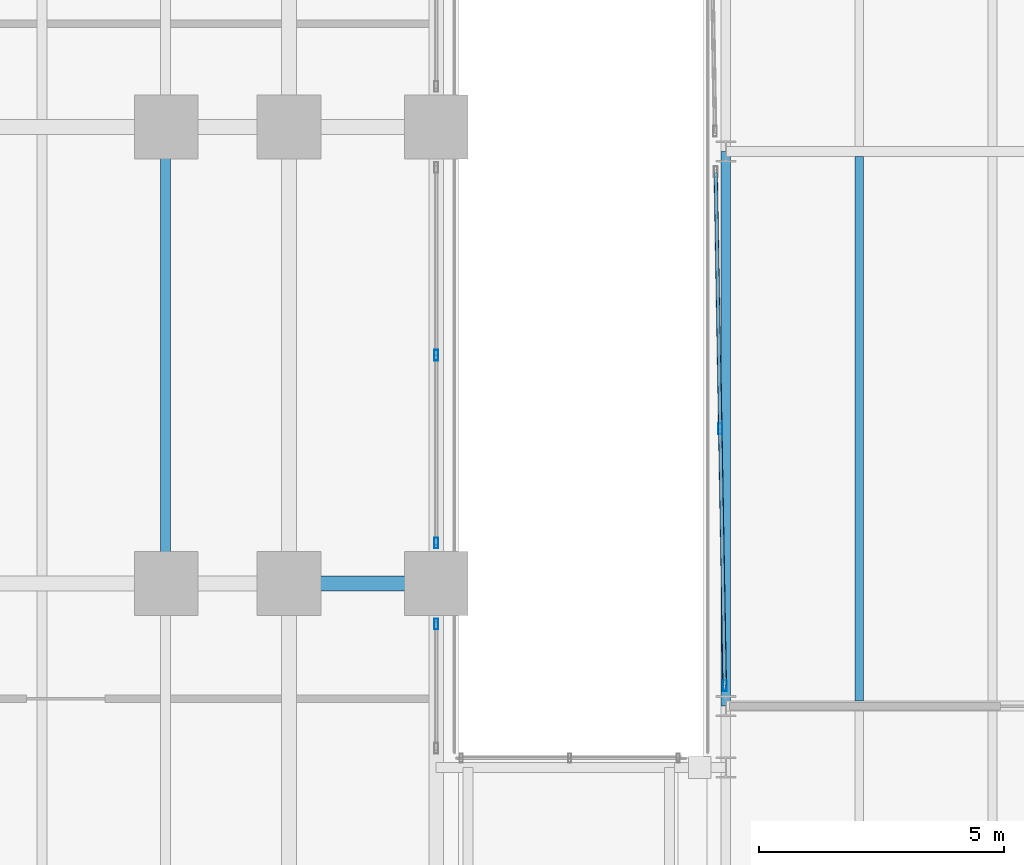
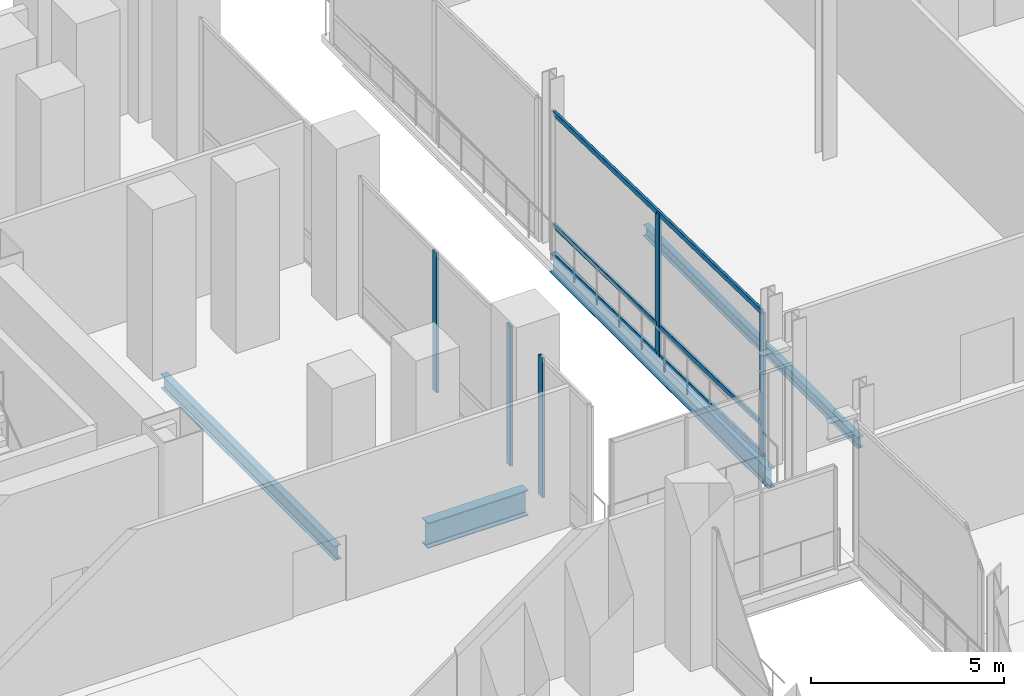
# One storey, part 14 of 32: 8 members, 4 beams, 3 elements without a shape of their own.
"""IFC4 building model written with IfcOpenShell, lengths in metres."""

from ifc_helpers import new_model, si_unit, direction, frame, origin, origin_2d, place, context, subcontext, project, spatial, hollow_rectangle, i_section, extrude, material, material_profile, profile_set, type_object, element, aggregate, save


model = new_model("IFC4")

# Units and contexts
model_context = context("Model", 3, precision=1e-05, world=origin(), true_north=direction((0.0, 1.0)))
body_context = subcontext(model_context, "Body", "Model", "MODEL_VIEW")
ifc_project = project(units=[si_unit("LENGTHUNIT", "METRE"), si_unit("AREAUNIT", "SQUARE_METRE"), si_unit("VOLUMEUNIT", "CUBIC_METRE"), si_unit("PLANEANGLEUNIT", "RADIAN"), si_unit("MASSUNIT", "GRAM", prefix="KILO")], contexts=[model_context])

# Site, building, storey
site_placement = place(None, origin())
site = spatial("IfcSite", under=ifc_project, at=site_placement, CompositionType="ELEMENT")
building_placement = place(site_placement, origin())
building = spatial("IfcBuilding", under=site, at=building_placement, Name="Noeulbin Bourse Tower", CompositionType="ELEMENT")
storey_placement = place(building_placement, frame((0.0, 0.0, 5.800048828125)))
storey = spatial("IfcBuildingStorey", under=building, at=storey_placement, Name="L02", CompositionType="ELEMENT", Elevation=5.800048828125)

# Beams
ifc_material_1 = material(Name="Steel S355", Category="steel")
ifc_material_profile_1 = material_profile(ifc_material_1, i_section(OverallWidth=0.199951171875, OverallDepth=0.60009765625, WebThickness=0.010986328125, FlangeThickness=0.01708984375, FilletRadius=0.02197265625, at=origin_2d()), Name="H-600x200x11x17", Category="LoadBearing")
ifc_profile_set_1 = profile_set([ifc_material_profile_1], Name="Steel S355")
beam_type_1 = type_object("IfcBeamType", Name="BM-GRD-600", PredefinedType="USERDEFINED", material=ifc_profile_set_1)
beam_1_placement = place(storey_placement, frame((60.449951171875, 26.5, -0.52001953125), z_axis=(0.0, 1.0, 0.0), x_axis=(-1.0, 0.0, 0.0)))
element("IfcBeam", 1, at=beam_1_placement, inside=storey, type_object=beam_type_1, Name="Market Hall Girder NS L02-13", ObjectType="GIRDER", PredefinedType="USERDEFINED", context=body_context, shape_type="SweptSolid", body=[
    extrude(i_section(OverallWidth=0.199951171875, OverallDepth=0.60009765625, WebThickness=0.010986328125, FlangeThickness=0.01708984375, FilletRadius=0.02197265625, at=origin_2d()), origin(), (0.0, 0.0, 1.0), 11.300048828125),
])
ifc_material_profile_2 = material_profile(ifc_material_1, i_section(OverallWidth=0.300048828125, OverallDepth=0.800048828125, WebThickness=0.013916015625, FlangeThickness=0.02587890625, FilletRadius=0.02587890625, at=origin_2d()), Name="H-800x300x14x26", Category="LoadBearing")
ifc_profile_set_2 = profile_set([ifc_material_profile_2], Name="Steel S355")
beam_type_2 = type_object("IfcBeamType", Name="BM-GRD-800", PredefinedType="USERDEFINED", material=ifc_profile_set_2)
beam_2_placement = place(storey_placement, frame((51.550048828125, 29.0, -0.650146484375), z_axis=(1.0, 0.0, 0.0), x_axis=(0.0, 1.0, 0.0)))
element("IfcBeam", 2, at=beam_2_placement, inside=storey, type_object=beam_type_2, Name="Podium Primary Girder EW L02-032", ObjectType="GIRDER", PredefinedType="USERDEFINED", context=body_context, shape_type="SweptSolid", body=[
    extrude(i_section(OverallWidth=0.300048828125, OverallDepth=0.800048828125, WebThickness=0.013916015625, FlangeThickness=0.02587890625, FilletRadius=0.02587890625, at=origin_2d()), origin(), (0.0, 0.0, 1.0), 3.0),
])
ifc_material_profile_3 = material_profile(ifc_material_1, i_section(OverallWidth=0.175048828125, OverallDepth=0.35009765625, WebThickness=0.007080078125, FlangeThickness=0.010986328125, FilletRadius=0.013916015625, at=origin_2d()), Name="H-350x175x7x11", Category="LoadBearing")
ifc_profile_set_3 = profile_set([ifc_material_profile_3], Name="Steel S355")
beam_type_3 = type_object("IfcBeamType", Name="BM-JST-350", PredefinedType="JOIST", material=ifc_profile_set_3)
beam_3_placement = place(storey_placement, frame((63.166748046875, 26.60009765625, -0.39501953125), z_axis=(0.0, 1.0, 0.0), x_axis=(-1.0, 0.0, 0.0)))
element("IfcBeam", 3, at=beam_3_placement, inside=storey, type_object=beam_type_3, Name="Market Hall Secondary Joist L02-03", PredefinedType="JOIST", context=body_context, shape_type="SweptSolid", body=[
    extrude(i_section(OverallWidth=0.175048828125, OverallDepth=0.35009765625, WebThickness=0.007080078125, FlangeThickness=0.010986328125, FilletRadius=0.013916015625, at=origin_2d()), origin(), (0.0, 0.0, 1.0), 11.099853515625),
])
ifc_material_profile_4 = material_profile(ifc_material_1, i_section(OverallWidth=0.199951171875, OverallDepth=0.449951171875, WebThickness=0.009033203125, FlangeThickness=0.013916015625, FilletRadius=0.01806640625, at=origin_2d()), Name="H-450x200x9x14", Category="LoadBearing")
ifc_profile_set_4 = profile_set([ifc_material_profile_4], Name="Steel S355")
beam_type_4 = type_object("IfcBeamType", Name="BM-SEC-450", PredefinedType="BEAM", material=ifc_profile_set_4)
beam_4_placement = place(storey_placement, frame((49.033203125, 29.14990234375, -0.47509765625), z_axis=(0.0, 1.0, 0.0), x_axis=(-1.0, 0.0, 0.0)))
element("IfcBeam", 4, at=beam_4_placement, inside=storey, type_object=beam_type_4, Name="Podium Secondary Beam L02-078", PredefinedType="BEAM", context=body_context, shape_type="SweptSolid", body=[
    extrude(i_section(OverallWidth=0.199951171875, OverallDepth=0.449951171875, WebThickness=0.009033203125, FlangeThickness=0.013916015625, FilletRadius=0.01806640625, at=origin_2d()), origin(), (0.0, 0.0, 1.0), 9.0),
])

# Curtain wall, member
ifc_material_2 = material(Name="Laminated Clear Low-E Glass", Category="glass")
curtain_wall_type = type_object("IfcCurtainWallType", Name="CW-SYS-1", PredefinedType="NOTDEFINED", material=ifc_material_2)
curtain_wall_1_placement = place(storey_placement, origin())
curtain_wall_1 = element("IfcCurtainWall", 5, at=curtain_wall_1_placement, inside=storey, type_object=curtain_wall_type, Name="Unitised Curtain Wall CW-L02-POD-E2-S1", PredefinedType="NOTDEFINED")
ifc_material_3 = material(Name="Anodised Aluminium 6063-T6", Category="aluminium")
ifc_material_profile_5 = material_profile(ifc_material_3, hollow_rectangle(XDim=0.074951171875, YDim=0.219970703125, WallThickness=0.0048828125, InnerFilletRadius=0.00244140625, OuterFilletRadius=0.0048828125, at=origin_2d()), Name="ALU-MULL-75x220x5", Category="LoadBearing")
ifc_profile_set_5 = profile_set([ifc_material_profile_5], Name="Anodised Aluminium 6063-T6")
member_type_1 = type_object("IfcMemberType", Name="CW-SYS-1-MUL", PredefinedType="MULLION", material=ifc_profile_set_5)
member_1_placement = place(storey_placement, frame((54.550048828125, 28.175048828125, -0.02001953125), z_axis=(0.0, 0.0, 1.0), x_axis=(1.0, 0.0, 0.0)))
member_1 = element("IfcMember", 6, at=member_1_placement, type_object=member_type_1, Name="Curtain Wall Mullion CW-L02-POD-E2-S1-M01", PredefinedType="MULLION", context=body_context, shape_type="SweptSolid", body=[
    extrude(hollow_rectangle(XDim=0.074951171875, YDim=0.219970703125, WallThickness=0.0048828125, InnerFilletRadius=0.00244140625, OuterFilletRadius=0.0048828125, at=origin_2d()), origin(), (0.0, 0.0, 1.0), 4.409912109375),
])
aggregate(curtain_wall_1, [member_1])

# Curtain wall, members
curtain_wall_2_placement = place(storey_placement, origin())
curtain_wall_2 = element("IfcCurtainWall", 7, at=curtain_wall_2_placement, inside=storey, type_object=curtain_wall_type, Name="Unitised Curtain Wall CW-L02-POD-E2-S2", PredefinedType="NOTDEFINED")
member_2_placement = place(storey_placement, frame((54.550048828125, 29.824951171875, -0.02001953125), z_axis=(0.0, 0.0, 1.0), x_axis=(1.0, 0.0, 0.0)))
member_2 = element("IfcMember", 8, at=member_2_placement, type_object=member_type_1, Name="Curtain Wall Mullion CW-L02-POD-E2-S2-M00", PredefinedType="MULLION", context=body_context, shape_type="SweptSolid", body=[
    extrude(hollow_rectangle(XDim=0.074951171875, YDim=0.219970703125, WallThickness=0.0048828125, InnerFilletRadius=0.00244140625, OuterFilletRadius=0.0048828125, at=origin_2d()), origin(), (0.0, 0.0, 1.0), 4.409912109375),
])
member_3_placement = place(storey_placement, frame((54.550048828125, 33.64990234375, -0.02001953125), z_axis=(0.0, 0.0, 1.0), x_axis=(1.0, 0.0, 0.0)))
member_3 = element("IfcMember", 9, at=member_3_placement, type_object=member_type_1, Name="Curtain Wall Mullion CW-L02-POD-E2-S2-M01", PredefinedType="MULLION", context=body_context, shape_type="SweptSolid", body=[
    extrude(hollow_rectangle(XDim=0.074951171875, YDim=0.219970703125, WallThickness=0.0048828125, InnerFilletRadius=0.00244140625, OuterFilletRadius=0.0048828125, at=origin_2d()), origin(), (0.0, 0.0, 1.0), 4.409912109375),
])
aggregate(curtain_wall_2, [member_2, member_3])

curtain_wall_3_placement = place(storey_placement, origin())
curtain_wall_3 = element("IfcCurtainWall", 10, at=curtain_wall_3_placement, inside=storey, type_object=curtain_wall_type, Name="Unitised Curtain Wall CW-L02-MKT-W2-S1", PredefinedType="NOTDEFINED")
member_4_placement = place(storey_placement, frame((60.427001953125, 26.9140625, -0.02001953125), z_axis=(0.0, 0.0, 1.0), x_axis=(1.0, 0.0, 0.0)))
member_4 = element("IfcMember", 11, at=member_4_placement, type_object=member_type_1, Name="Curtain Wall Mullion CW-L02-MKT-W2-S1-M00", PredefinedType="MULLION", context=body_context, shape_type="SweptSolid", body=[
    extrude(hollow_rectangle(XDim=0.074951171875, YDim=0.219970703125, WallThickness=0.0048828125, InnerFilletRadius=0.00244140625, OuterFilletRadius=0.0048828125, at=origin_2d()), origin(), (0.0, 0.0, 1.0), 4.5400390625),
])
member_5_placement = place(storey_placement, frame((60.335693359375, 32.14990234375, -0.02001953125), z_axis=(0.0, 0.0, 1.0), x_axis=(1.0, 0.0, 0.0)))
member_5 = element("IfcMember", 12, at=member_5_placement, type_object=member_type_1, Name="Curtain Wall Mullion CW-L02-MKT-W2-S1-M01", PredefinedType="MULLION", context=body_context, shape_type="SweptSolid", body=[
    extrude(hollow_rectangle(XDim=0.074951171875, YDim=0.219970703125, WallThickness=0.0048828125, InnerFilletRadius=0.00244140625, OuterFilletRadius=0.0048828125, at=origin_2d()), origin(), (0.0, 0.0, 1.0), 4.5400390625),
])
ifc_material_profile_6 = material_profile(ifc_material_3, hollow_rectangle(XDim=0.074951171875, YDim=0.159912109375, WallThickness=0.0048828125, InnerFilletRadius=0.00244140625, OuterFilletRadius=0.0048828125, at=origin_2d()), Name="ALU-TRAN-75x160x5", Category="LoadBearing")
ifc_profile_set_6 = profile_set([ifc_material_profile_6], Name="Anodised Aluminium 6063-T6")
member_type_2 = type_object("IfcMemberType", Name="CW-SYS-1-TRN", PredefinedType="USERDEFINED", material=ifc_profile_set_6)
member_6_placement = place(storey_placement, frame((60.427001953125, 26.924072265625, 0.010009765625), z_axis=(-0.01742278307, 0.999848211795, 0.0), x_axis=(-0.999848211795, -0.01742278307, 0.0)))
member_6 = element("IfcMember", 13, at=member_6_placement, type_object=member_type_2, Name="Curtain Wall Transom CW-L02-MKT-W2-S1-T00", ObjectType="TRANSOM", PredefinedType="USERDEFINED", context=body_context, shape_type="SweptSolid", body=[
    extrude(hollow_rectangle(XDim=0.074951171875, YDim=0.159912109375, WallThickness=0.0048828125, InnerFilletRadius=0.00244140625, OuterFilletRadius=0.0048828125, at=origin_2d()), origin(), (0.0, 0.0, 1.0), 10.453369140625),
])
member_7_placement = place(storey_placement, frame((60.427001953125, 26.924072265625, 0.949951171875), z_axis=(-0.01742278307, 0.999848211795, 0.0), x_axis=(-0.999848211795, -0.01742278307, 0.0)))
member_7 = element("IfcMember", 14, at=member_7_placement, type_object=member_type_2, Name="Curtain Wall Transom CW-L02-MKT-W2-S1-T01", ObjectType="TRANSOM", PredefinedType="USERDEFINED", context=body_context, shape_type="SweptSolid", body=[
    extrude(hollow_rectangle(XDim=0.074951171875, YDim=0.159912109375, WallThickness=0.0048828125, InnerFilletRadius=0.00244140625, OuterFilletRadius=0.0048828125, at=origin_2d()), origin(), (0.0, 0.0, 1.0), 10.453369140625),
])
member_8_placement = place(storey_placement, frame((60.427001953125, 26.924072265625, 4.489990234375), z_axis=(-0.01742278307, 0.999848211795, 0.0), x_axis=(-0.999848211795, -0.01742278307, 0.0)))
member_8 = element("IfcMember", 15, at=member_8_placement, type_object=member_type_2, Name="Curtain Wall Transom CW-L02-MKT-W2-S1-T02", ObjectType="TRANSOM", PredefinedType="USERDEFINED", context=body_context, shape_type="SweptSolid", body=[
    extrude(hollow_rectangle(XDim=0.074951171875, YDim=0.159912109375, WallThickness=0.0048828125, InnerFilletRadius=0.00244140625, OuterFilletRadius=0.0048828125, at=origin_2d()), origin(), (0.0, 0.0, 1.0), 10.453369140625),
])
aggregate(curtain_wall_3, [member_4, member_5, member_6, member_7, member_8])

save(model, "model.ifc")
